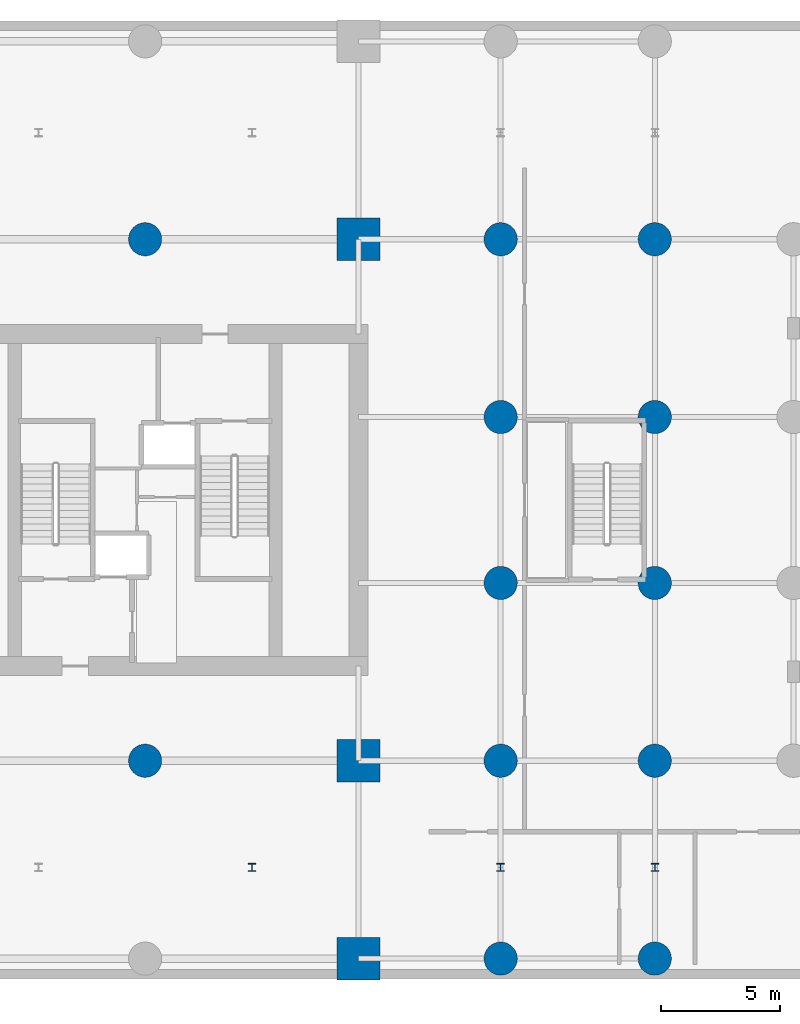
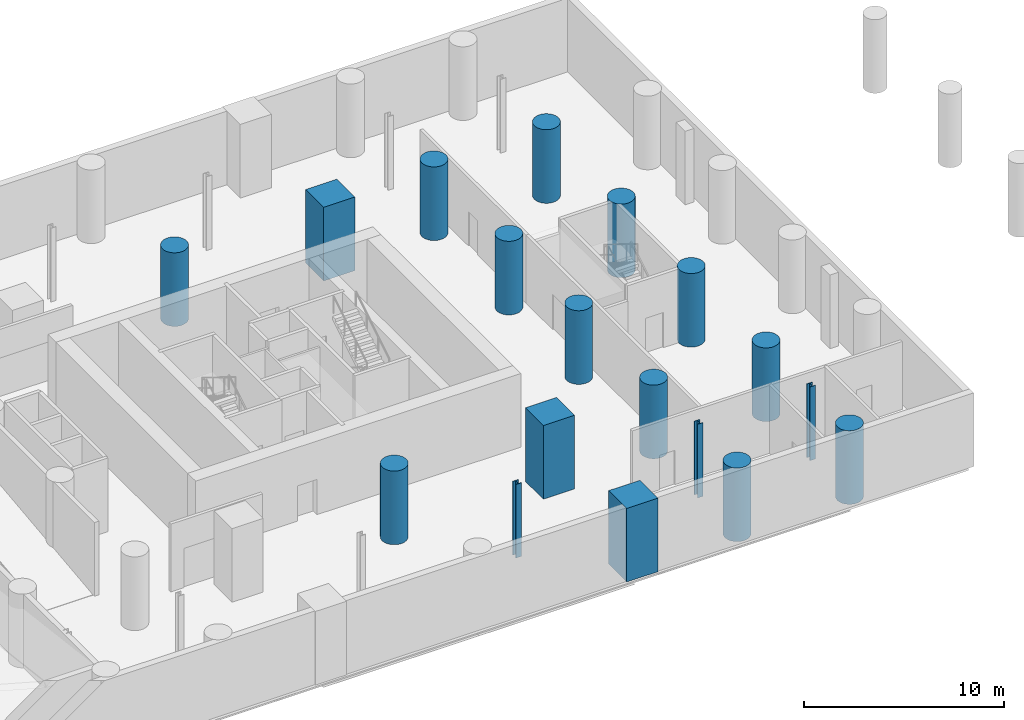
# One storey, part 2 of 8: 18 columns.
"""IFC4 building model written with IfcOpenShell, lengths in metres."""

from ifc_helpers import new_model, si_unit, direction, frame, origin, origin_2d, place, context, subcontext, project, spatial, rectangle, circle, i_section, extrude, material, material_profile, profile_set, type_object, element, save


model = new_model("IFC4")

# Units and contexts
model_context = context("Model", 3, precision=1e-05, world=origin(), true_north=direction((0.0, 1.0)))
body_context = subcontext(model_context, "Body", "Model", "MODEL_VIEW")
ifc_project = project(units=[si_unit("LENGTHUNIT", "METRE"), si_unit("AREAUNIT", "SQUARE_METRE"), si_unit("VOLUMEUNIT", "CUBIC_METRE"), si_unit("PLANEANGLEUNIT", "RADIAN"), si_unit("MASSUNIT", "GRAM", prefix="KILO")], contexts=[model_context])

# Site, building, storey
site_placement = place(None, origin())
site = spatial("IfcSite", under=ifc_project, at=site_placement, CompositionType="ELEMENT")
building_placement = place(site_placement, origin())
building = spatial("IfcBuilding", under=site, at=building_placement, Name="Veldorim Arch Residences", CompositionType="ELEMENT")
storey_placement = place(building_placement, frame((0.0, 0.0, -4.5)))
storey = spatial("IfcBuildingStorey", under=building, at=storey_placement, Name="B1", CompositionType="ELEMENT", Elevation=-4.5)

# Columns
ifc_material_1 = material(Name="Concrete C60/75", Category="concrete")
ifc_material_profile_1 = material_profile(ifc_material_1, circle(Radius=0.699951171875, at=origin_2d()), Name="RC_CIRC_1400")
ifc_profile_set_1 = profile_set([ifc_material_profile_1], Name="Concrete C60/75")
column_type_1 = type_object("IfcColumnType", Name="Structural Column RC_CIRC_1400", PredefinedType="COLUMN", material=ifc_profile_set_1)
for number, where, z_axis, x_axis, name in (
    (1, (47.0, 4.64990234375, 0.0), (0.0, 0.0, 1.0), (1.0, 0.0, 0.0), "B1 podium column (47.00, 4.65)"),
    (2, (47.0, 13.0, 0.0), (0.0, 0.0, 1.0), (1.0, 0.0, 0.0), "B1 podium column (47.00, 13.00)"),
    (3, (47.0, 20.5, 0.0), (0.0, 0.0, 1.0), (1.0, 0.0, 0.0), "B1 podium column (47.00, 20.50)"),
    (4, (47.0, 27.5, 0.0), (0.0, 0.0, 1.0), (1.0, 0.0, 0.0), "B1 podium column (47.00, 27.50)"),
    (5, (47.0, 35.0, 0.0), (0.0, 0.0, 1.0), (1.0, 0.0, 0.0), "B1 podium column (47.00, 35.00)"),
    (6, (53.5, 4.64990234375, 0.0), (0.0, 0.0, 1.0), (1.0, 0.0, 0.0), "B1 podium column (53.50, 4.65)"),
    (7, (53.5, 13.0, 0.0), (0.0, 0.0, 1.0), (1.0, 0.0, 0.0), "B1 podium column (53.50, 13.00)"),
    (8, (53.5, 20.5, 0.0), (0.0, 0.0, 1.0), (1.0, 0.0, 0.0), "B1 podium column (53.50, 20.50)"),
    (9, (53.5, 27.5, 0.0), (0.0, 0.0, 1.0), (1.0, 0.0, 0.0), "B1 podium column (53.50, 27.50)"),
    (10, (53.5, 35.0, 0.0), (0.0, 0.0, 1.0), (1.0, 0.0, 0.0), "B1 podium column (53.50, 35.00)"),
    (11, (32.0, 13.0, 0.0), (0.0, 0.0, 1.0), (1.0, 0.0, 0.0), "B1 arch mega-pier (32.00, 13.00)"),
    (12, (32.0, 35.0, 0.0), (0.0, 0.0, 1.0), (1.0, 0.0, 0.0), "B1 arch mega-pier (32.00, 35.00)"),
):
    element("IfcColumn", number, at=place(storey_placement, frame(where, z_axis=z_axis, x_axis=x_axis)), inside=storey, type_object=column_type_1, Name=name, PredefinedType="COLUMN", context=body_context, shape_type="SweptSolid", body=[
        extrude(circle(Radius=0.699951171875, at=origin_2d()), origin(), (0.0, 0.0, 1.0), 4.5),
    ])
ifc_material_2 = material(Name="Concrete C60/75", Category="concrete")
ifc_material_profile_2 = material_profile(ifc_material_2, rectangle(XDim=1.800048828125, YDim=1.800048828125, at=origin_2d()), Name="RC_RECT_1800x1800")
ifc_profile_set_2 = profile_set([ifc_material_profile_2], Name="Concrete C60/75")
column_type_2 = type_object("IfcColumnType", Name="Structural Column RC_RECT_1800x1800", PredefinedType="COLUMN", material=ifc_profile_set_2)
for number, where, z_axis, x_axis, name in (
    (13, (41.0, 4.64990234375, 0.0), (0.0, 0.0, 1.0), (1.0, 0.0, 0.0), "B1 arch mega-pier (41.00, 4.65)"),
    (14, (41.0, 13.0, 0.0), (0.0, 0.0, 1.0), (1.0, 0.0, 0.0), "B1 arch mega-pier (41.00, 13.00)"),
    (15, (41.0, 35.0, 0.0), (0.0, 0.0, 1.0), (1.0, 0.0, 0.0), "B1 arch mega-pier (41.00, 35.00)"),
):
    element("IfcColumn", number, at=place(storey_placement, frame(where, z_axis=z_axis, x_axis=x_axis)), inside=storey, type_object=column_type_2, Name=name, PredefinedType="COLUMN", context=body_context, shape_type="SweptSolid", body=[
        extrude(rectangle(XDim=1.800048828125, YDim=1.800048828125, at=origin_2d()), origin(), (0.0, 0.0, 1.0), 4.5),
    ])
ifc_material_3 = material(Name="Steel S355", Category="steel")
ifc_material_profile_3 = material_profile(ifc_material_3, i_section(OverallWidth=0.314453125, OverallDepth=0.33984375, WebThickness=0.01904296875, FlangeThickness=0.031494140625, at=origin_2d()), Name="UC305x305x198")
ifc_profile_set_3 = profile_set([ifc_material_profile_3], Name="Steel S355")
column_type_3 = type_object("IfcColumnType", Name="Structural Column UC305x305x198", PredefinedType="COLUMN", material=ifc_profile_set_3)
for number, where, z_axis, x_axis, name in (
    (16, (36.5, 8.5, 0.0), (0.0, 0.0, 1.0), (1.0, 0.0, 0.0), "B1 basement secondary column 02"),
    (17, (47.0, 8.5, 0.0), (0.0, 0.0, 1.0), (1.0, 0.0, 0.0), "B1 basement secondary column 07"),
    (18, (53.5, 8.5, 0.0), (0.0, 0.0, 1.0), (1.0, 0.0, 0.0), "B1 basement secondary column 08"),
):
    element("IfcColumn", number, at=place(storey_placement, frame(where, z_axis=z_axis, x_axis=x_axis)), inside=storey, type_object=column_type_3, Name=name, PredefinedType="COLUMN", context=body_context, shape_type="SweptSolid", body=[
        extrude(i_section(OverallWidth=0.314453125, OverallDepth=0.33984375, WebThickness=0.01904296875, FlangeThickness=0.031494140625, at=origin_2d()), origin(), (0.0, 0.0, 1.0), 4.5),
    ])

save(model, "model.ifc")
